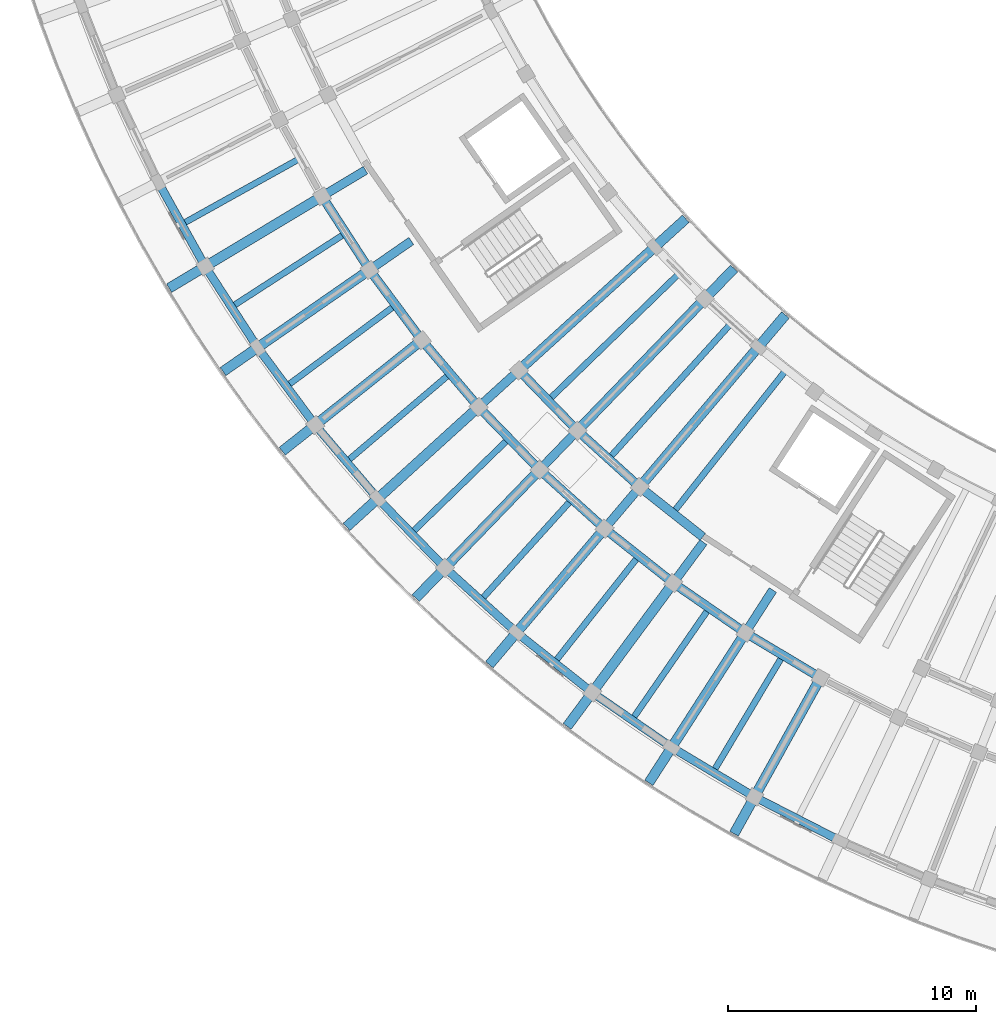
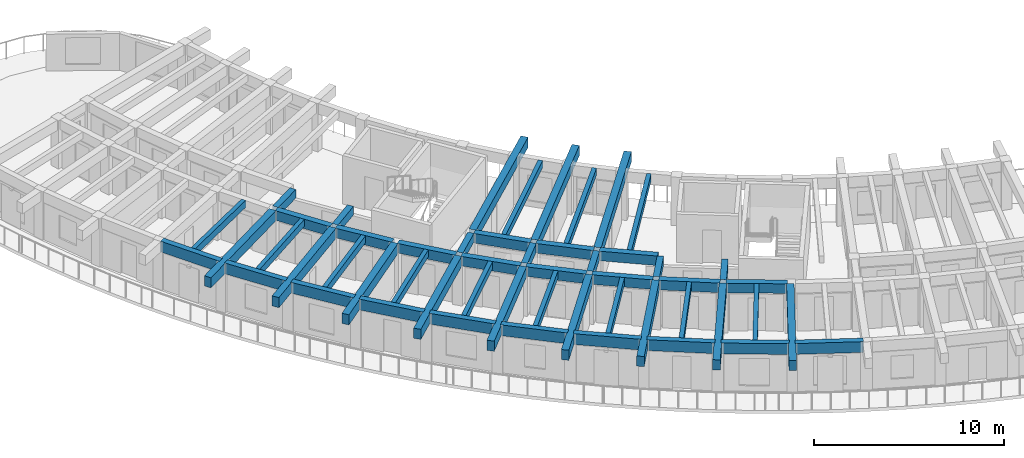
# One storey, part 4 of 81: 52 beams.
"""IFC4 building model written with IfcOpenShell, lengths in metres."""

from ifc_helpers import new_model, si_unit, direction, frame, origin, origin_2d, place, context, subcontext, project, spatial, rectangle, extrude, material, material_profile, profile_set, type_object, element, save


model = new_model("IFC4")

# Units and contexts
model_context = context("Model", 3, precision=1e-05, world=origin(), true_north=direction((0.0, 1.0)))
body_context = subcontext(model_context, "Body", "Model", "MODEL_VIEW")
ifc_project = project(units=[si_unit("LENGTHUNIT", "METRE"), si_unit("AREAUNIT", "SQUARE_METRE"), si_unit("VOLUMEUNIT", "CUBIC_METRE"), si_unit("PLANEANGLEUNIT", "RADIAN"), si_unit("MASSUNIT", "GRAM", prefix="KILO")], contexts=[model_context])

# Site, building, storey
site_placement = place(None, origin())
site = spatial("IfcSite", under=ifc_project, at=site_placement, CompositionType="ELEMENT")
building_placement = place(site_placement, origin())
building = spatial("IfcBuilding", under=site, at=building_placement, Name="Tanwirah Colonnade Gardens", CompositionType="ELEMENT")
storey_placement = place(building_placement, frame((0.0, 0.0, 8.840087890625)))
storey = spatial("IfcBuildingStorey", under=building, at=storey_placement, Name="L02", CompositionType="ELEMENT", Elevation=8.840087890625)

# Beams
ifc_material_1 = material(Name="Precast concrete C40/50", Category="concrete")
ifc_material_profile_1 = material_profile(ifc_material_1, rectangle(XDim=0.360107421875, YDim=0.610107421875, at=origin_2d()), Name="PC-BM 360x610")
ifc_profile_set_1 = profile_set([ifc_material_profile_1], Name="Precast concrete C40/50")
beam_type_1 = type_object("IfcBeamType", Name="BM-PC300", PredefinedType="BEAM", material=ifc_profile_set_1)
beam_1_placement = place(storey_placement, frame((18.75146484375, 36.5361328125, 2.7998046875), z_axis=(0.542825891173, -0.839845254718, 0.0), x_axis=(0.839845254718, 0.542825891173, 0.0)))
element("IfcBeam", 1, at=beam_1_placement, inside=storey, type_object=beam_type_1, Name="Block C L02 Circumferential Beam 4-R2", PredefinedType="BEAM", context=body_context, shape_type="SweptSolid", body=[
    extrude(rectangle(XDim=0.360107421875, YDim=0.610107421875, at=origin_2d()), origin(), (0.0, 0.0, 1.0), 3.23681640625),
])
beam_2_placement = place(storey_placement, frame((20.679443359375, 33.5712890625, 2.7998046875), z_axis=(0.596579473879, -0.802554005252, 0.0), x_axis=(0.802554005252, 0.596579473879, 0.0)))
element("IfcBeam", 2, at=beam_2_placement, inside=storey, type_object=beam_type_1, Name="Block C L02 Circumferential Beam 5-R2", PredefinedType="BEAM", context=body_context, shape_type="SweptSolid", body=[
    extrude(rectangle(XDim=0.360107421875, YDim=0.610107421875, at=origin_2d()), origin(), (0.0, 0.0, 1.0), 3.237060546875),
])
beam_3_placement = place(storey_placement, frame((22.797119140625, 30.73876953125, 2.7998046875), z_axis=(0.6478235549, -0.761790418499, 0.0), x_axis=(0.761790418499, 0.6478235549, 0.0)))
element("IfcBeam", 3, at=beam_3_placement, inside=storey, type_object=beam_type_1, Name="Block C L02 Circumferential Beam 6-R2", PredefinedType="BEAM", context=body_context, shape_type="SweptSolid", body=[
    extrude(rectangle(XDim=0.360107421875, YDim=0.610107421875, at=origin_2d()), origin(), (0.0, 0.0, 1.0), 3.23681640625),
])
beam_4_placement = place(storey_placement, frame((26.72412109375, 29.530029296875, 2.7998046875), z_axis=(0.696209937932, -0.71783822852, 0.0), x_axis=(0.71783822852, 0.696209937932, 0.0)))
element("IfcBeam", 4, at=beam_4_placement, inside=storey, type_object=beam_type_1, Name="Block C L02 Circumferential Beam 7-R1", PredefinedType="BEAM", context=body_context, shape_type="SweptSolid", body=[
    extrude(rectangle(XDim=0.360107421875, YDim=0.610107421875, at=origin_2d()), origin(), (0.0, 0.0, 1.0), 3.093017578125),
])
beam_5_placement = place(storey_placement, frame((25.095703125, 28.05078125, 2.7998046875), z_axis=(0.696238887656, -0.717810149911, 0.0), x_axis=(0.717810149911, 0.696238887656, 0.0)))
element("IfcBeam", 5, at=beam_5_placement, inside=storey, type_object=beam_type_1, Name="Block C L02 Circumferential Beam 7-R2", PredefinedType="BEAM", context=body_context, shape_type="SweptSolid", body=[
    extrude(rectangle(XDim=0.360107421875, YDim=0.610107421875, at=origin_2d()), origin(), (0.0, 0.0, 1.0), 3.23681640625),
])
beam_6_placement = place(storey_placement, frame((29.09326171875, 27.1015625, 2.7998046875), z_axis=(0.741698455559, -0.670733479873, 0.0), x_axis=(0.670733479873, 0.741698455559, 0.0)))
element("IfcBeam", 6, at=beam_6_placement, inside=storey, type_object=beam_type_1, Name="Block C L02 Circumferential Beam 8-R1", PredefinedType="BEAM", context=body_context, shape_type="SweptSolid", body=[
    extrude(rectangle(XDim=0.360107421875, YDim=0.610107421875, at=origin_2d()), origin(), (0.0, 0.0, 1.0), 3.0927734375),
])
beam_7_placement = place(storey_placement, frame((27.56494140625, 25.51904296875, 2.7998046875), z_axis=(0.741701929733, -0.670729638104, 0.0), x_axis=(0.670729638104, 0.741701929733, 0.0)))
element("IfcBeam", 7, at=beam_7_placement, inside=storey, type_object=beam_type_1, Name="Block C L02 Circumferential Beam 8-R2", PredefinedType="BEAM", context=body_context, shape_type="SweptSolid", body=[
    extrude(rectangle(XDim=0.360107421875, YDim=0.610107421875, at=origin_2d()), origin(), (0.0, 0.0, 1.0), 3.237060546875),
])
beam_8_placement = place(storey_placement, frame((31.615966796875, 24.833251953125, 2.7998046875), z_axis=(0.783962588163, -0.62080807047, 0.0), x_axis=(0.62080807047, 0.783962588163, 0.0)))
element("IfcBeam", 8, at=beam_8_placement, inside=storey, type_object=beam_type_1, Name="Block C L02 Circumferential Beam 9-R1", PredefinedType="BEAM", context=body_context, shape_type="SweptSolid", body=[
    extrude(rectangle(XDim=0.360107421875, YDim=0.610107421875, at=origin_2d()), origin(), (0.0, 0.0, 1.0), 3.093017578125),
])
beam_9_placement = place(storey_placement, frame((30.194580078125, 23.154052734375, 2.7998046875), z_axis=(0.783993819374, -0.620768629349, 0.0), x_axis=(0.620768629349, 0.783993819374, 0.0)))
element("IfcBeam", 9, at=beam_9_placement, inside=storey, type_object=beam_type_1, Name="Block C L02 Circumferential Beam 9-R2", PredefinedType="BEAM", context=body_context, shape_type="SweptSolid", body=[
    extrude(rectangle(XDim=0.360107421875, YDim=0.610107421875, at=origin_2d()), origin(), (0.0, 0.0, 1.0), 3.23681640625),
])
beam_10_placement = place(storey_placement, frame((32.97314453125, 20.96630859375, 2.7998046875), z_axis=(0.822889344221, -0.568201660651, 0.0), x_axis=(0.568201660651, 0.822889344221, 0.0)))
element("IfcBeam", 10, at=beam_10_placement, inside=storey, type_object=beam_type_1, Name="Block C L02 Circumferential Beam 10-R2", PredefinedType="BEAM", context=body_context, shape_type="SweptSolid", body=[
    extrude(rectangle(XDim=0.360107421875, YDim=0.610107421875, at=origin_2d()), origin(), (0.0, 0.0, 1.0), 3.237060546875),
])
beam_11_placement = place(storey_placement, frame((35.88916015625, 18.96484375, 2.7998046875), z_axis=(0.858270604513, -0.513197398111, 0.0), x_axis=(0.513197398111, 0.858270604513, 0.0)))
element("IfcBeam", 11, at=beam_11_placement, inside=storey, type_object=beam_type_1, Name="Block C L02 Circumferential Beam 11-R2", PredefinedType="BEAM", context=body_context, shape_type="SweptSolid", body=[
    extrude(rectangle(XDim=0.360107421875, YDim=0.610107421875, at=origin_2d()), origin(), (0.0, 0.0, 1.0), 3.23681640625),
])
ifc_material_profile_2 = material_profile(ifc_material_1, rectangle(XDim=0.35009765625, YDim=0.550048828125, at=origin_2d()), Name="PC-BM 350x550")
ifc_profile_set_2 = profile_set([ifc_material_profile_2], Name="Precast concrete C40/50")
beam_type_2 = type_object("IfcBeamType", Name="BM-PC350A", PredefinedType="BEAM", material=ifc_profile_set_2)
beam_12_placement = place(storey_placement, frame((20.42724609375, 37.718017578125, 2.829833984375), z_axis=(-0.857186654737, -0.515005863017, 0.0), x_axis=(0.515005863017, -0.857186654737, 0.0)))
element("IfcBeam", 12, at=beam_12_placement, inside=storey, type_object=beam_type_2, Name="Block C L02 Corridor Tie Beam 4", PredefinedType="BEAM", context=body_context, shape_type="SweptSolid", body=[
    extrude(rectangle(XDim=0.35009765625, YDim=0.550048828125, at=origin_2d()), origin(), (0.0, 0.0, 1.0), 1.89990234375),
])
beam_13_placement = place(storey_placement, frame((22.2744140625, 34.860107421875, 2.829833984375), z_axis=(-0.821669163201, -0.569964723684, 0.0), x_axis=(0.569964723684, -0.821669163201, 0.0)))
element("IfcBeam", 13, at=beam_13_placement, inside=storey, type_object=beam_type_2, Name="Block C L02 Corridor Tie Beam 5", PredefinedType="BEAM", context=body_context, shape_type="SweptSolid", body=[
    extrude(rectangle(XDim=0.35009765625, YDim=0.550048828125, at=origin_2d()), origin(), (0.0, 0.0, 1.0), 1.900146484375),
])
beam_14_placement = place(storey_placement, frame((26.508544921875, 29.536865234375, 2.829833984375), z_axis=(-0.740219127015, -0.672365707038, 0.0), x_axis=(0.672365707038, -0.740219127015, 0.0)))
element("IfcBeam", 14, at=beam_14_placement, inside=storey, type_object=beam_type_2, Name="Block C L02 Corridor Tie Beam 7", PredefinedType="BEAM", context=body_context, shape_type="SweptSolid", body=[
    extrude(rectangle(XDim=0.35009765625, YDim=0.550048828125, at=origin_2d()), origin(), (0.0, 0.0, 1.0), 1.899658203125),
])
beam_15_placement = place(storey_placement, frame((28.877685546875, 27.09423828125, 2.829833984375), z_axis=(-0.694663306685, -0.719335033448, 0.0), x_axis=(0.719335033448, -0.694663306685, 0.0)))
element("IfcBeam", 15, at=beam_15_placement, inside=storey, type_object=beam_type_2, Name="Block C L02 Corridor Tie Beam 8", PredefinedType="BEAM", context=body_context, shape_type="SweptSolid", body=[
    extrude(rectangle(XDim=0.35009765625, YDim=0.550048828125, at=origin_2d()), origin(), (0.0, 0.0, 1.0), 1.89990234375),
])
for number, where, z_axis, x_axis, name in (
    (16, (31.401611328125, 24.81201171875, 2.829833984375), (-0.646155325581, -0.763205932382, 0.0), (0.763205932382, -0.646155325581, 0.0), "Block C L02 Corridor Tie Beam 9"),
    (17, (34.0693359375, 22.699462890625, 2.829833984375), (-0.594889497099, -0.803807493273, 0.0), (0.803807493273, -0.594889497099, 0.0), "Block C L02 Corridor Tie Beam 10"),
):
    element("IfcBeam", number, at=place(storey_placement, frame(where, z_axis=z_axis, x_axis=x_axis)), inside=storey, type_object=beam_type_2, Name=name, PredefinedType="BEAM", context=body_context, shape_type="SweptSolid", body=[
        extrude(rectangle(XDim=0.35009765625, YDim=0.550048828125, at=origin_2d()), origin(), (0.0, 0.0, 1.0), 1.900146484375),
    ])
beam_16_placement = place(storey_placement, frame((36.869384765625, 20.765869140625, 2.829833984375), z_axis=(-0.540984881989, -0.841032316537, 0.0), x_axis=(0.841032316537, -0.540984881989, 0.0)))
element("IfcBeam", 18, at=beam_16_placement, inside=storey, type_object=beam_type_2, Name="Block C L02 Corridor Tie Beam 11", PredefinedType="BEAM", context=body_context, shape_type="SweptSolid", body=[
    extrude(rectangle(XDim=0.35009765625, YDim=0.550048828125, at=origin_2d()), origin(), (0.0, 0.0, 1.0), 1.89990234375),
])
ifc_material_2 = material(Name="Precast concrete C45/55", Category="concrete")
ifc_material_profile_3 = material_profile(ifc_material_2, rectangle(XDim=0.39990234375, YDim=0.64990234375, at=origin_2d()), Name="PC-BM 400x650")
ifc_profile_set_3 = profile_set([ifc_material_profile_3], Name="Precast concrete C45/55")
beam_type_3 = type_object("IfcBeamType", Name="BM-PC400", PredefinedType="BEAM", material=ifc_profile_set_3)
for number, where, z_axis, x_axis, name in (
    (19, (18.54150390625, 36.5849609375, 2.780029296875), (-0.857159687729, -0.515050744812, 0.0), (0.515050744812, -0.857159687729, 0.0), "Block C L02 Outer Radial Precast Girder 4"),
    (20, (20.466796875, 33.606201171875, 2.780029296875), (-0.821647028495, -0.569996632066, 0.0), (0.569996632066, -0.821647028495, 0.0), "Block C L02 Outer Radial Precast Girder 5"),
):
    element("IfcBeam", number, at=place(storey_placement, frame(where, z_axis=z_axis, x_axis=x_axis)), inside=storey, type_object=beam_type_3, Name=name, PredefinedType="BEAM", context=body_context, shape_type="SweptSolid", body=[
        extrude(rectangle(XDim=0.39990234375, YDim=0.64990234375, at=origin_2d()), origin(), (0.0, 0.0, 1.0), 7.050048828125),
    ])
beam_17_placement = place(storey_placement, frame((22.58251953125, 30.759765625, 2.780029296875), z_axis=(-0.782609106384, -0.622513442911, 0.0), x_axis=(0.622513442911, -0.782609106384, 0.0)))
element("IfcBeam", 21, at=beam_17_placement, inside=storey, type_object=beam_type_3, Name="Block C L02 Outer Radial Precast Girder 6", PredefinedType="BEAM", context=body_context, shape_type="SweptSolid", body=[
    extrude(rectangle(XDim=0.39990234375, YDim=0.64990234375, at=origin_2d()), origin(), (0.0, 0.0, 1.0), 7.0498046875),
])
beam_18_placement = place(storey_placement, frame((26.730712890625, 29.738525390625, 2.780029296875), z_axis=(0.740212791446, 0.672372681911, 0.0), x_axis=(-0.672372681911, 0.740212791446, 0.0)))
element("IfcBeam", 22, at=beam_18_placement, inside=storey, type_object=beam_type_3, Name="Block C L02 Inner Radial Precast Girder 7", PredefinedType="BEAM", context=body_context, shape_type="SweptSolid", body=[
    extrude(rectangle(XDim=0.39990234375, YDim=0.64990234375, at=origin_2d()), origin(), (0.0, 0.0, 1.0), 8.9501953125),
])
beam_19_placement = place(storey_placement, frame((24.880126953125, 28.0576171875, 2.780029296875), z_axis=(-0.740229899169, -0.672353847596, 0.0), x_axis=(0.672353847596, -0.740229899169, 0.0)))
element("IfcBeam", 23, at=beam_19_placement, inside=storey, type_object=beam_type_3, Name="Block C L02 Outer Radial Precast Girder 7", PredefinedType="BEAM", context=body_context, shape_type="SweptSolid", body=[
    extrude(rectangle(XDim=0.39990234375, YDim=0.64990234375, at=origin_2d()), origin(), (0.0, 0.0, 1.0), 7.0498046875),
])
beam_20_placement = place(storey_placement, frame((29.086181640625, 27.31005859375, 2.780029296875), z_axis=(0.694655848402, 0.719342235852, 0.0), x_axis=(-0.719342235852, 0.694655848402, 0.0)))
element("IfcBeam", 24, at=beam_20_placement, inside=storey, type_object=beam_type_3, Name="Block C L02 Inner Radial Precast Girder 8", PredefinedType="BEAM", context=body_context, shape_type="SweptSolid", body=[
    extrude(rectangle(XDim=0.39990234375, YDim=0.64990234375, at=origin_2d()), origin(), (0.0, 0.0, 1.0), 8.9501953125),
])
beam_21_placement = place(storey_placement, frame((27.349609375, 25.51171875, 2.780029296875), z_axis=(-0.69467114255, -0.719327466254, 0.0), x_axis=(0.719327466254, -0.69467114255, 0.0)))
element("IfcBeam", 25, at=beam_21_placement, inside=storey, type_object=beam_type_3, Name="Block C L02 Outer Radial Precast Girder 8", PredefinedType="BEAM", context=body_context, shape_type="SweptSolid", body=[
    extrude(rectangle(XDim=0.39990234375, YDim=0.64990234375, at=origin_2d()), origin(), (0.0, 0.0, 1.0), 7.050048828125),
])
beam_22_placement = place(storey_placement, frame((31.595458984375, 25.040771484375, 2.780029296875), z_axis=(0.64611097415, 0.763243479554, 0.0), x_axis=(-0.763243479554, 0.64611097415, 0.0)))
element("IfcBeam", 26, at=beam_22_placement, inside=storey, type_object=beam_type_3, Name="Block C L02 Inner Radial Precast Girder 9", PredefinedType="BEAM", context=body_context, shape_type="SweptSolid", body=[
    extrude(rectangle(XDim=0.39990234375, YDim=0.64990234375, at=origin_2d()), origin(), (0.0, 0.0, 1.0), 8.949951171875),
])
for number, where, z_axis, x_axis, name in (
    (27, (29.97998046875, 23.1328125, 2.780029296875), (-0.646119193339, -0.763236521663, 0.0), (0.763236521663, -0.646119193339, 0.0), "Block C L02 Outer Radial Precast Girder 9"),
    (28, (32.760498046875, 20.930908203125, 2.780029296875), (-0.594806754627, -0.803868723518, 0.0), (0.803868723518, -0.594806754627, 0.0), "Block C L02 Outer Radial Precast Girder 10"),
    (29, (35.67919921875, 18.915771484375, 2.780029296875), (-0.540976349149, -0.841037805132, 0.0), (0.841037805132, -0.540976349149, 0.0), "Block C L02 Outer Radial Precast Girder 11"),
):
    element("IfcBeam", number, at=place(storey_placement, frame(where, z_axis=z_axis, x_axis=x_axis)), inside=storey, type_object=beam_type_3, Name=name, PredefinedType="BEAM", context=body_context, shape_type="SweptSolid", body=[
        extrude(rectangle(XDim=0.39990234375, YDim=0.64990234375, at=origin_2d()), origin(), (0.0, 0.0, 1.0), 7.050048828125),
    ])
beam_23_placement = place(storey_placement, frame((38.723388671875, 17.095703125, 2.780029296875), z_axis=(-0.484804753745, -0.874622404667, 0.0), x_axis=(0.874622404667, -0.484804753745, 0.0)))
element("IfcBeam", 30, at=beam_23_placement, inside=storey, type_object=beam_type_3, Name="Block C L02 Outer Radial Precast Girder 12", PredefinedType="BEAM", context=body_context, shape_type="SweptSolid", body=[
    extrude(rectangle(XDim=0.39990234375, YDim=0.64990234375, at=origin_2d()), origin(), (0.0, 0.0, 1.0), 7.05029296875),
])
ifc_material_profile_4 = material_profile(ifc_material_1, rectangle(XDim=0.25, YDim=0.449951171875, at=origin_2d()), Name="PC-JST 250x450")
ifc_profile_set_4 = profile_set([ifc_material_profile_4], Name="Precast concrete C40/50")
beam_type_4 = type_object("IfcBeamType", Name="JST-PC250", PredefinedType="JOIST", material=ifc_profile_set_4)
for number, where, z_axis, x_axis, name in (
    (31, (17.67919921875, 38.134521484375, 2.8798828125), (-0.87356769437, -0.486702664214, 0.0), (0.486702664214, -0.87356769437, 0.0), "Block C L02 Precast Floor Joist 3"),
    (32, (19.5048828125, 35.09619140625, 2.8798828125), (-0.839842770955, -0.542829733963, 0.0), (0.542829733963, -0.839842770955, 0.0), "Block C L02 Precast Floor Joist 4"),
    (33, (21.525390625, 32.18359375, 2.8798828125), (-0.802560347737, -0.596570941499, 0.0), (0.596570941499, -0.802560347737, 0.0), "Block C L02 Precast Floor Joist 5"),
    (34, (23.732177734375, 29.409423828125, 2.8798828125), (-0.761803021124, -0.647808734895, 0.0), (0.647808734895, -0.761803021124, 0.0), "Block C L02 Precast Floor Joist 6"),
    (35, (26.115478515625, 26.785400390625, 2.8798828125), (-0.717816036263, -0.696232818878, 0.0), (0.696232818878, -0.717816036263, 0.0), "Block C L02 Precast Floor Joist 7"),
):
    element("IfcBeam", number, at=place(storey_placement, frame(where, z_axis=z_axis, x_axis=x_axis)), inside=storey, type_object=beam_type_4, Name=name, PredefinedType="JOIST", context=body_context, shape_type="SweptSolid", body=[
        extrude(rectangle(XDim=0.25, YDim=0.449951171875, at=origin_2d()), origin(), (0.0, 0.0, 1.0), 5.260009765625),
    ])
beam_24_placement = place(storey_placement, frame((33.006591796875, 33.46923828125, 2.8798828125), z_axis=(-0.717816218075, -0.69623263143, 0.0), x_axis=(0.69623263143, -0.717816218075, 0.0)))
element("IfcBeam", 36, at=beam_24_placement, inside=storey, type_object=beam_type_4, Name="Block C L02 Inner Precast Floor Joist 7", PredefinedType="JOIST", context=body_context, shape_type="SweptSolid", body=[
    extrude(rectangle(XDim=0.25, YDim=0.449951171875, at=origin_2d()), origin(), (0.0, 0.0, 1.0), 7.16015625),
])
beam_25_placement = place(storey_placement, frame((28.66552734375, 24.322998046875, 2.8798828125), z_axis=(-0.670780841255, -0.741655622918, 0.0), x_axis=(0.741655622918, -0.670780841255, 0.0)))
element("IfcBeam", 37, at=beam_25_placement, inside=storey, type_object=beam_type_4, Name="Block C L02 Precast Floor Joist 8", PredefinedType="JOIST", context=body_context, shape_type="SweptSolid", body=[
    extrude(rectangle(XDim=0.25, YDim=0.449951171875, at=origin_2d()), origin(), (0.0, 0.0, 1.0), 5.260009765625),
])
beam_26_placement = place(storey_placement, frame((35.104736328125, 31.443115234375, 2.8798828125), z_axis=(-0.670773136608, -0.741662591214, 0.0), x_axis=(0.741662591214, -0.670773136608, 0.0)))
element("IfcBeam", 38, at=beam_26_placement, inside=storey, type_object=beam_type_4, Name="Block C L02 Inner Precast Floor Joist 8", PredefinedType="JOIST", context=body_context, shape_type="SweptSolid", body=[
    extrude(rectangle(XDim=0.25, YDim=0.449951171875, at=origin_2d()), origin(), (0.0, 0.0, 1.0), 7.159912109375),
])
beam_27_placement = place(storey_placement, frame((31.370849609375, 22.03271484375, 2.8798828125), z_axis=(-0.620787347885, -0.783978997617, 0.0), x_axis=(0.783978997617, -0.620787347885, 0.0)))
element("IfcBeam", 39, at=beam_27_placement, inside=storey, type_object=beam_type_4, Name="Block C L02 Precast Floor Joist 9", PredefinedType="JOIST", context=body_context, shape_type="SweptSolid", body=[
    extrude(rectangle(XDim=0.25, YDim=0.449951171875, at=origin_2d()), origin(), (0.0, 0.0, 1.0), 5.260009765625),
])
beam_28_placement = place(storey_placement, frame((37.33056640625, 29.55859375, 2.8798828125), z_axis=(-0.620803379809, -0.783966302603, 0.0), x_axis=(0.783966302603, -0.620803379809, 0.0)))
element("IfcBeam", 40, at=beam_28_placement, inside=storey, type_object=beam_type_4, Name="Block C L02 Inner Precast Floor Joist 9", PredefinedType="JOIST", context=body_context, shape_type="SweptSolid", body=[
    extrude(rectangle(XDim=0.25, YDim=0.449951171875, at=origin_2d()), origin(), (0.0, 0.0, 1.0), 7.159912109375),
])
for number, where, z_axis, x_axis, name in (
    (41, (34.220458984375, 19.924072265625, 2.8798828125), (-0.56820792868, -0.822885016138, 0.0), (0.822885016138, -0.56820792868, 0.0), "Block C L02 Precast Floor Joist 10"),
    (42, (37.20166015625, 18.006591796875, 2.8798828125), (-0.513157303227, -0.858294577721, 0.0), (0.858294577721, -0.513157303227, 0.0), "Block C L02 Precast Floor Joist 11"),
):
    element("IfcBeam", number, at=place(storey_placement, frame(where, z_axis=z_axis, x_axis=x_axis)), inside=storey, type_object=beam_type_4, Name=name, PredefinedType="JOIST", context=body_context, shape_type="SweptSolid", body=[
        extrude(rectangle(XDim=0.25, YDim=0.449951171875, at=origin_2d()), origin(), (0.0, 0.0, 1.0), 5.260009765625),
    ])
ifc_material_profile_5 = material_profile(ifc_material_1, rectangle(XDim=0.330078125, YDim=0.68994140625, at=origin_2d()), Name="PC-SP 330x690")
ifc_profile_set_5 = profile_set([ifc_material_profile_5], Name="Precast concrete C40/50")
beam_type_5 = type_object("IfcBeamType", Name="SP-PC280", PredefinedType="SPANDREL", material=ifc_profile_set_5)
beam_29_placement = place(storey_placement, frame((12.132080078125, 37.1025390625, 2.760009765625), z_axis=(0.486679958674, -0.87358034423, 0.0), x_axis=(0.87358034423, 0.486679958674, 0.0)))
element("IfcBeam", 43, at=beam_29_placement, inside=storey, type_object=beam_type_5, Name="Block C L02 Circumferential Beam 3-R3", PredefinedType="SPANDREL", context=body_context, shape_type="SweptSolid", body=[
    extrude(rectangle(XDim=0.330078125, YDim=0.68994140625, at=origin_2d()), origin(), (0.0, 0.0, 1.0), 3.5966796875),
])
for number, where, z_axis, x_axis, name in (
    (44, (14.037109375, 33.70361328125, 2.760009765625), (0.542786838894, -0.839870494495, 0.0), (0.839870494495, 0.542786838894, 0.0), "Block C L02 Circumferential Beam 4-R3"),
    (45, (16.160400390625, 30.436279296875, 2.760009765625), (0.596562665898, -0.802566499212, 0.0), (0.802566499212, 0.596562665898, 0.0), "Block C L02 Circumferential Beam 5-R3"),
):
    element("IfcBeam", number, at=place(storey_placement, frame(where, z_axis=z_axis, x_axis=x_axis)), inside=storey, type_object=beam_type_5, Name=name, PredefinedType="SPANDREL", context=body_context, shape_type="SweptSolid", body=[
        extrude(rectangle(XDim=0.330078125, YDim=0.68994140625, at=origin_2d()), origin(), (0.0, 0.0, 1.0), 3.596923828125),
    ])
for number, where, z_axis, x_axis, name in (
    (46, (18.492919921875, 27.31494140625, 2.760009765625), (0.647784367984, -0.76182374116, 0.0), (0.76182374116, 0.647784367984, 0.0), "Block C L02 Circumferential Beam 6-R3"),
    (47, (21.0244140625, 24.352783203125, 2.760009765625), (0.696231699401, -0.717817122079, 0.0), (0.717817122079, 0.696231699401, 0.0), "Block C L02 Circumferential Beam 7-R3"),
):
    element("IfcBeam", number, at=place(storey_placement, frame(where, z_axis=z_axis, x_axis=x_axis)), inside=storey, type_object=beam_type_5, Name=name, PredefinedType="SPANDREL", context=body_context, shape_type="SweptSolid", body=[
        extrude(rectangle(XDim=0.330078125, YDim=0.68994140625, at=origin_2d()), origin(), (0.0, 0.0, 1.0), 3.5966796875),
    ])
for number, where, z_axis, x_axis, name in (
    (48, (23.744384765625, 21.562744140625, 2.760009765625), (0.741682092868, -0.670751573325, 0.0), (0.670751573325, 0.741682092868, 0.0), "Block C L02 Circumferential Beam 8-R3"),
    (49, (26.640869140625, 18.956298828125, 2.760009765625), (0.783971495357, -0.620796822211, 0.0), (0.620796822211, 0.783971495357, 0.0), "Block C L02 Circumferential Beam 9-R3"),
    (50, (29.70166015625, 16.545166015625, 2.760009765625), (0.822907478943, -0.568175396423, 0.0), (0.568175396423, 0.822907478943, 0.0), "Block C L02 Circumferential Beam 10-R3"),
):
    element("IfcBeam", number, at=place(storey_placement, frame(where, z_axis=z_axis, x_axis=x_axis)), inside=storey, type_object=beam_type_5, Name=name, PredefinedType="SPANDREL", context=body_context, shape_type="SweptSolid", body=[
        extrude(rectangle(XDim=0.330078125, YDim=0.68994140625, at=origin_2d()), origin(), (0.0, 0.0, 1.0), 3.596923828125),
    ])
for number, where, z_axis, x_axis, name in (
    (51, (32.913818359375, 14.339111328125, 2.760009765625), (0.858282522832, -0.513177465407, 0.0), (0.513177465407, 0.858282522832, 0.0), "Block C L02 Circumferential Beam 11-R3"),
    (52, (36.26318359375, 12.347900390625, 2.760009765625), (0.890013134589, -0.455934885985, 0.0), (0.455934885985, 0.890013134589, 0.0), "Block C L02 Circumferential Beam 12-R3"),
):
    element("IfcBeam", number, at=place(storey_placement, frame(where, z_axis=z_axis, x_axis=x_axis)), inside=storey, type_object=beam_type_5, Name=name, PredefinedType="SPANDREL", context=body_context, shape_type="SweptSolid", body=[
        extrude(rectangle(XDim=0.330078125, YDim=0.68994140625, at=origin_2d()), origin(), (0.0, 0.0, 1.0), 3.5966796875),
    ])

save(model, "model.ifc")
